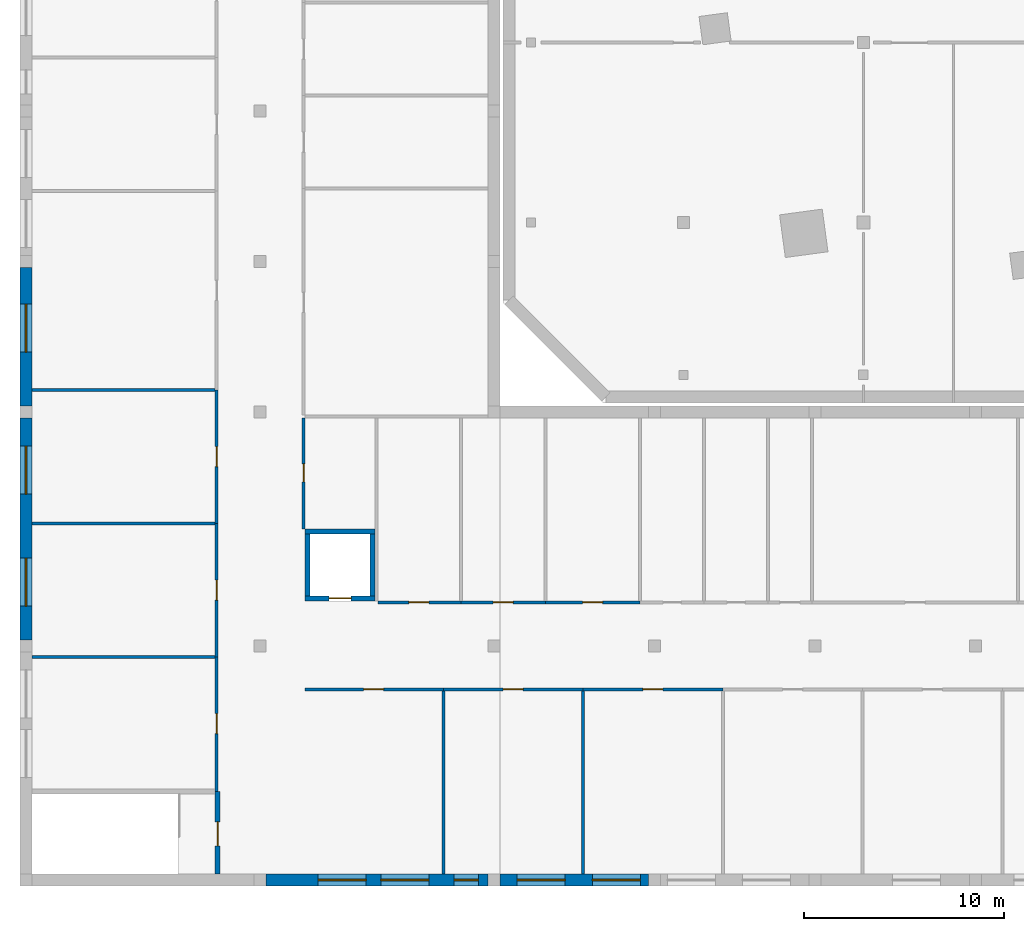
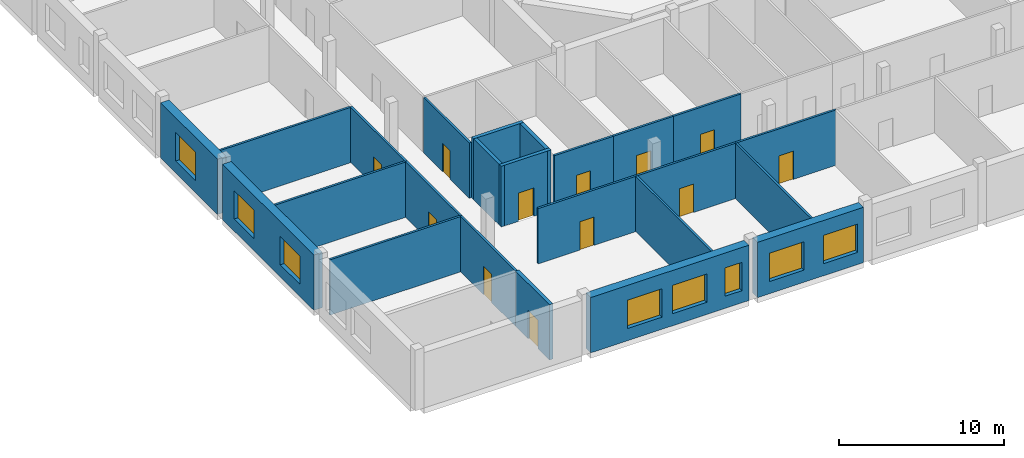
# One storey, part 3 of 18: 24 walls, 12 doors, 8 windows, 20 openings.
"""IFC4 building model written with IfcOpenShell, lengths in metres."""

from ifc_helpers import new_model, si_unit, direction, frame, frame_2d, origin, place, context, subcontext, project, spatial, rectangle, extrude, material, layer, layer_set, type_object, element, fill, save


model = new_model("IFC4")

# Units and contexts
model_context = context("Model", 3, precision=1e-05, world=origin(), true_north=direction((0.0, 1.0)))
body_context = subcontext(model_context, "Body", "Model", "MODEL_VIEW")
ifc_project = project(units=[si_unit("LENGTHUNIT", "METRE"), si_unit("AREAUNIT", "SQUARE_METRE"), si_unit("VOLUMEUNIT", "CUBIC_METRE"), si_unit("PLANEANGLEUNIT", "RADIAN"), si_unit("MASSUNIT", "GRAM", prefix="KILO")], contexts=[model_context])

# Site, building, storey
site_placement = place(None, origin())
site = spatial("IfcSite", under=ifc_project, at=site_placement, CompositionType="ELEMENT")
building_placement = place(site_placement, origin())
building = spatial("IfcBuilding", under=site, at=building_placement, Name="Dilmun Exchange Tower", CompositionType="ELEMENT")
storey_placement = place(building_placement, frame((0.0, 0.0, 13.5)))
storey = spatial("IfcBuildingStorey", under=building, at=storey_placement, Name="L03", CompositionType="ELEMENT", Elevation=13.5)

# Wall, openings, windows
ifc_material_1 = material(Name="Precast concrete C40/50", Category="concrete")
ifc_layer_1 = layer(ifc_material_1, 0.60009765625)
ifc_layer_set_1 = layer_set([ifc_layer_1], Name="Precast concrete C40/50")
wall_type_1 = type_object("IfcWallType", Name="School external wall 600 precast C40/50", PredefinedType="STANDARD", material=ifc_layer_set_1)
wall_1_placement = place(storey_placement, frame((-59.85009765625, -47.85009765625, 0.0), z_axis=(0.0, 0.0, 1.0), x_axis=(0.0, 1.0, 0.0)))
wall_1 = element("IfcWall", 1, at=wall_1_placement, inside=storey, type_object=wall_type_1, Name="School external wall", PredefinedType="STANDARD", context=body_context, shape_type="SweptSolid", body=[
    extrude(rectangle(XDim=11.10009765625, YDim=0.60009765625, at=frame_2d((5.550048828125, 0.0))), origin(), (0.0, 0.0, 1.0), 4.10009765625),
])
opening_1_placement = place(wall_1_placement, frame((1.68798828125, 0.0, 0.89990234375)))
opening_1 = element("IfcOpeningElement", 2, at=opening_1_placement, cuts=wall_1, Name="Opening SCH-W24", PredefinedType="OPENING", context=body_context, shape_type="SweptSolid", body=[
    extrude(rectangle(XDim=2.39990234375, YDim=2.10009765625, at=frame_2d((1.199951171875, 1.050048828125))), frame((0.0, 0.31005859375, 0.0), z_axis=(0.0, -1.0, 0.0), x_axis=(1.0, 0.0, 0.0)), (0.0, 0.0, 1.0), 0.6201171875),
])
opening_2_placement = place(wall_1_placement, frame((7.283203125, 0.0, 0.89990234375)))
opening_2 = element("IfcOpeningElement", 3, at=opening_2_placement, cuts=wall_1, Name="Opening SCH-W24", PredefinedType="OPENING", context=body_context, shape_type="SweptSolid", body=[
    extrude(rectangle(XDim=2.39990234375, YDim=2.10009765625, at=frame_2d((1.199951171875, 1.050048828125))), frame((0.0, 0.31005859375, 0.0), z_axis=(0.0, -1.0, 0.0), x_axis=(1.0, 0.0, 0.0)), (0.0, 0.0, 1.0), 0.6201171875),
])
ifc_material_2 = material(Name="Clear low-emissivity glass in aluminium frame", Category="aluminium")
window_type_1 = type_object("IfcWindowType", Name="School window 2400 x 2100", PartitioningType="DOUBLE_PANEL_VERTICAL", PredefinedType="WINDOW", material=ifc_material_2)
window_1_placement = place(opening_1_placement, origin())
window_1 = element("IfcWindow", 4, at=window_1_placement, inside=storey, type_object=window_type_1, Name="School window", OverallHeight=2.10009765625, OverallWidth=2.39990234375, PartitioningType="SINGLE_PANEL", PredefinedType="WINDOW", context=body_context, shape_type="SweptSolid", body=[
    extrude(rectangle(XDim=2.39990234375, YDim=2.10009765625, at=frame_2d((1.199951171875, 1.050048828125))), frame((0.0, 0.030029296875, 0.0), z_axis=(0.0, -1.0, 0.0), x_axis=(1.0, 0.0, 0.0)), (0.0, 0.0, 1.0), 0.06005859375),
])
fill(opening_1, window_1)
window_2_placement = place(opening_2_placement, origin())
window_2 = element("IfcWindow", 5, at=window_2_placement, inside=storey, type_object=window_type_1, Name="School window", OverallHeight=2.10009765625, OverallWidth=2.39990234375, PartitioningType="SINGLE_PANEL", PredefinedType="WINDOW", context=body_context, shape_type="SweptSolid", body=[
    extrude(rectangle(XDim=2.39990234375, YDim=2.10009765625, at=frame_2d((1.199951171875, 1.050048828125))), frame((0.0, 0.030029296875, 0.0), z_axis=(0.0, -1.0, 0.0), x_axis=(1.0, 0.0, 0.0)), (0.0, 0.0, 1.0), 0.06005859375),
])
fill(opening_2, window_2)

# Wall, opening, window
wall_2_placement = place(storey_placement, frame((-59.85009765625, -36.14990234375, 0.0), z_axis=(0.0, 0.0, 1.0), x_axis=(0.0, 1.0, 0.0)))
wall_2 = element("IfcWall", 6, at=wall_2_placement, inside=storey, type_object=wall_type_1, Name="School external wall", PredefinedType="STANDARD", context=body_context, shape_type="SweptSolid", body=[
    extrude(rectangle(XDim=6.914306640625, YDim=0.60009765625, at=frame_2d((3.45703125, 0.0))), origin(), (0.0, 0.0, 1.0), 4.10009765625),
])
opening_3_placement = place(wall_2_placement, frame((2.6767578125, 0.0, 0.89990234375)))
opening_3 = element("IfcOpeningElement", 7, at=opening_3_placement, cuts=wall_2, Name="Opening SCH-W24", PredefinedType="OPENING", context=body_context, shape_type="SweptSolid", body=[
    extrude(rectangle(XDim=2.39990234375, YDim=2.10009765625, at=frame_2d((1.199951171875, 1.050048828125))), frame((0.0, 0.31005859375, 0.0), z_axis=(0.0, -1.0, 0.0), x_axis=(1.0, 0.0, 0.0)), (0.0, 0.0, 1.0), 0.6201171875),
])
window_3_placement = place(opening_3_placement, origin())
window_3 = element("IfcWindow", 8, at=window_3_placement, inside=storey, type_object=window_type_1, Name="School window", OverallHeight=2.10009765625, OverallWidth=2.39990234375, PartitioningType="SINGLE_PANEL", PredefinedType="WINDOW", context=body_context, shape_type="SweptSolid", body=[
    extrude(rectangle(XDim=2.39990234375, YDim=2.10009765625, at=frame_2d((1.199951171875, 1.050048828125))), frame((0.0, 0.030029296875, 0.0), z_axis=(0.0, -1.0, 0.0), x_axis=(1.0, 0.0, 0.0)), (0.0, 0.0, 1.0), 0.06005859375),
])
fill(opening_3, window_3)

# Wall, openings, windows
wall_3_placement = place(storey_placement, frame((-28.7333984375, -59.85009765625, 0.0), z_axis=(0.0, 0.0, 1.0), x_axis=(-1.0, 0.0, 0.0)))
wall_3 = element("IfcWall", 9, at=wall_3_placement, inside=storey, type_object=wall_type_1, Name="School external wall", PredefinedType="STANDARD", context=body_context, shape_type="SweptSolid", body=[
    extrude(rectangle(XDim=7.41650390625, YDim=0.60009765625, at=frame_2d((3.708251953125, 0.0))), origin(), (0.0, 0.0, 1.0), 4.10009765625),
])
opening_4_placement = place(wall_3_placement, frame((4.16796875, 0.0, 0.89990234375)))
opening_4 = element("IfcOpeningElement", 10, at=opening_4_placement, cuts=wall_3, Name="Opening SCH-W24", PredefinedType="OPENING", context=body_context, shape_type="SweptSolid", body=[
    extrude(rectangle(XDim=2.39990234375, YDim=2.10009765625, at=frame_2d((1.199951171875, 1.050048828125))), frame((0.0, 0.31005859375, 0.0), z_axis=(0.0, -1.0, 0.0), x_axis=(1.0, 0.0, 0.0)), (0.0, 0.0, 1.0), 0.6201171875),
])
opening_5_placement = place(wall_3_placement, frame((0.41455078125, 0.0, 0.89990234375)))
opening_5 = element("IfcOpeningElement", 11, at=opening_5_placement, cuts=wall_3, Name="Opening SCH-W24", PredefinedType="OPENING", context=body_context, shape_type="SweptSolid", body=[
    extrude(rectangle(XDim=2.39990234375, YDim=2.10009765625, at=frame_2d((1.199951171875, 1.050048828125))), frame((0.0, 0.31005859375, 0.0), z_axis=(0.0, -1.0, 0.0), x_axis=(1.0, 0.0, 0.0)), (0.0, 0.0, 1.0), 0.6201171875),
])
window_4_placement = place(opening_4_placement, origin())
window_4 = element("IfcWindow", 12, at=window_4_placement, inside=storey, type_object=window_type_1, Name="School window", OverallHeight=2.10009765625, OverallWidth=2.39990234375, PartitioningType="SINGLE_PANEL", PredefinedType="WINDOW", context=body_context, shape_type="SweptSolid", body=[
    extrude(rectangle(XDim=2.39990234375, YDim=2.10009765625, at=frame_2d((1.199951171875, 1.050048828125))), frame((0.0, 0.030029296875, 0.0), z_axis=(0.0, -1.0, 0.0), x_axis=(1.0, 0.0, 0.0)), (0.0, 0.0, 1.0), 0.06005859375),
])
fill(opening_4, window_4)
window_5_placement = place(opening_5_placement, origin())
window_5 = element("IfcWindow", 13, at=window_5_placement, inside=storey, type_object=window_type_1, Name="School window", OverallHeight=2.10009765625, OverallWidth=2.39990234375, PartitioningType="SINGLE_PANEL", PredefinedType="WINDOW", context=body_context, shape_type="SweptSolid", body=[
    extrude(rectangle(XDim=2.39990234375, YDim=2.10009765625, at=frame_2d((1.199951171875, 1.050048828125))), frame((0.0, 0.030029296875, 0.0), z_axis=(0.0, -1.0, 0.0), x_axis=(1.0, 0.0, 0.0)), (0.0, 0.0, 1.0), 0.06005859375),
])
fill(opening_5, window_5)

wall_4_placement = place(storey_placement, frame((-36.75, -59.85009765625, 0.0), z_axis=(0.0, 0.0, 1.0), x_axis=(-1.0, 0.0, 0.0)))
wall_4 = element("IfcWall", 14, at=wall_4_placement, inside=storey, type_object=wall_type_1, Name="School external wall", PredefinedType="STANDARD", context=body_context, shape_type="SweptSolid", body=[
    extrude(rectangle(XDim=11.10009765625, YDim=0.60009765625, at=frame_2d((5.550048828125, 0.0))), origin(), (0.0, 0.0, 1.0), 4.10009765625),
])
opening_6_placement = place(wall_4_placement, frame((2.959716796875, 0.0, 0.89990234375)))
opening_6 = element("IfcOpeningElement", 15, at=opening_6_placement, cuts=wall_4, Name="Opening SCH-W24", PredefinedType="OPENING", context=body_context, shape_type="SweptSolid", body=[
    extrude(rectangle(XDim=2.39990234375, YDim=2.10009765625, at=frame_2d((1.199951171875, 1.050048828125))), frame((0.0, 0.31005859375, 0.0), z_axis=(0.0, -1.0, 0.0), x_axis=(1.0, 0.0, 0.0)), (0.0, 0.0, 1.0), 0.6201171875),
])
opening_7_placement = place(wall_4_placement, frame((6.1064453125, 0.0, 0.89990234375)))
opening_7 = element("IfcOpeningElement", 16, at=opening_7_placement, cuts=wall_4, Name="Opening SCH-W24", PredefinedType="OPENING", context=body_context, shape_type="SweptSolid", body=[
    extrude(rectangle(XDim=2.39990234375, YDim=2.10009765625, at=frame_2d((1.199951171875, 1.050048828125))), frame((0.0, 0.31005859375, 0.0), z_axis=(0.0, -1.0, 0.0), x_axis=(1.0, 0.0, 0.0)), (0.0, 0.0, 1.0), 0.6201171875),
])
opening_8_placement = place(wall_4_placement, frame((0.498046875, 0.0, 0.89990234375)))
opening_8 = element("IfcOpeningElement", 17, at=opening_8_placement, cuts=wall_4, Name="Opening SCH-W12", PredefinedType="OPENING", context=body_context, shape_type="SweptSolid", body=[
    extrude(rectangle(XDim=1.199951171875, YDim=2.10009765625, at=frame_2d((0.60009765625, 1.050048828125))), frame((0.0, 0.31005859375, 0.0), z_axis=(0.0, -1.0, 0.0), x_axis=(1.0, 0.0, 0.0)), (0.0, 0.0, 1.0), 0.6201171875),
])
window_type_2 = type_object("IfcWindowType", Name="School window 1200 x 2100", PartitioningType="DOUBLE_PANEL_VERTICAL", PredefinedType="WINDOW", material=ifc_material_2)
window_6_placement = place(opening_8_placement, origin())
window_6 = element("IfcWindow", 18, at=window_6_placement, inside=storey, type_object=window_type_2, Name="School window", OverallHeight=2.10009765625, OverallWidth=1.199951171875, PartitioningType="SINGLE_PANEL", PredefinedType="WINDOW", context=body_context, shape_type="SweptSolid", body=[
    extrude(rectangle(XDim=1.199951171875, YDim=2.10009765625, at=frame_2d((0.60009765625, 1.050048828125))), frame((0.0, 0.030029296875, 0.0), z_axis=(0.0, -1.0, 0.0), x_axis=(1.0, 0.0, 0.0)), (0.0, 0.0, 1.0), 0.06005859375),
])
fill(opening_8, window_6)
window_7_placement = place(opening_6_placement, origin())
window_7 = element("IfcWindow", 19, at=window_7_placement, inside=storey, type_object=window_type_1, Name="School window", OverallHeight=2.10009765625, OverallWidth=2.39990234375, PartitioningType="SINGLE_PANEL", PredefinedType="WINDOW", context=body_context, shape_type="SweptSolid", body=[
    extrude(rectangle(XDim=2.39990234375, YDim=2.10009765625, at=frame_2d((1.199951171875, 1.050048828125))), frame((0.0, 0.030029296875, 0.0), z_axis=(0.0, -1.0, 0.0), x_axis=(1.0, 0.0, 0.0)), (0.0, 0.0, 1.0), 0.06005859375),
])
fill(opening_6, window_7)
window_8_placement = place(opening_7_placement, origin())
window_8 = element("IfcWindow", 20, at=window_8_placement, inside=storey, type_object=window_type_1, Name="School window", OverallHeight=2.10009765625, OverallWidth=2.39990234375, PartitioningType="SINGLE_PANEL", PredefinedType="WINDOW", context=body_context, shape_type="SweptSolid", body=[
    extrude(rectangle(XDim=2.39990234375, YDim=2.10009765625, at=frame_2d((1.199951171875, 1.050048828125))), frame((0.0, 0.030029296875, 0.0), z_axis=(0.0, -1.0, 0.0), x_axis=(1.0, 0.0, 0.0)), (0.0, 0.0, 1.0), 0.06005859375),
])
fill(opening_7, window_8)

# Walls
ifc_material_3 = material(Name="Gypsum board on steel studs", Category="steel")
ifc_layer_2 = layer(ifc_material_3, 0.14990234375)
ifc_layer_set_2 = layer_set([ifc_layer_2], Name="Gypsum board on steel studs")
wall_type_2 = type_object("IfcWallType", Name="School partition 150 gypsum board", PredefinedType="PARTITIONING", material=ifc_layer_set_2)
for number, where, z_axis, x_axis, name in (
    (21, (-59.550048828125, -48.701904296875, 0.0), (0.0, 0.0, 1.0), (1.0, 0.0, 0.0), "School partition"),
    (22, (-59.550048828125, -42.02880859375, 0.0), (0.0, 0.0, 1.0), (1.0, 0.0, 0.0), "School partition"),
    (23, (-59.550048828125, -35.355712890625, 0.0), (0.0, 0.0, 1.0), (1.0, 0.0, 0.0), "School partition"),
):
    element("IfcWall", number, at=place(storey_placement, frame(where, z_axis=z_axis, x_axis=x_axis)), inside=storey, type_object=wall_type_2, Name=name, PredefinedType="PARTITIONING", context=body_context, shape_type="SweptSolid", body=[
        extrude(rectangle(XDim=9.150146484375, YDim=0.14990234375, at=frame_2d((4.5751953125, 0.0))), origin(), (0.0, 0.0, 1.0), 4.10009765625),
    ])

# Wall, opening, door
wall_5_placement = place(storey_placement, frame((-50.324951171875, -55.425048828125, 0.0), z_axis=(0.0, 0.0, 1.0), x_axis=(0.0, 1.0, 0.0)))
wall_5 = element("IfcWall", 24, at=wall_5_placement, inside=storey, type_object=wall_type_2, Name="School corridor wall", PredefinedType="PARTITIONING", context=body_context, shape_type="SweptSolid", body=[
    extrude(rectangle(XDim=6.72314453125, YDim=0.14990234375, at=frame_2d((3.361572265625, 0.0))), origin(), (0.0, 0.0, 1.0), 4.10009765625),
])
opening_9_placement = place(wall_5_placement, frame((2.886474609375, 0.0, 0.0)))
opening_9 = element("IfcOpeningElement", 25, at=opening_9_placement, cuts=wall_5, Name="Opening SCH-D1", PredefinedType="OPENING", context=body_context, shape_type="SweptSolid", body=[
    extrude(rectangle(XDim=1.0, YDim=2.10009765625, at=frame_2d((0.5, 1.050048828125))), frame((0.0, 0.0849609375, 0.0), z_axis=(0.0, -1.0, 0.0), x_axis=(1.0, 0.0, 0.0)), (0.0, 0.0, 1.0), 0.169921875),
])
ifc_material_4 = material(Name="Timber door leaf in steel frame", Category="steel")
door_type_1 = type_object("IfcDoorType", Name="School door FD30S 1000 x 2100", OperationType="NOTDEFINED", PredefinedType="DOOR", material=ifc_material_4)
door_1_placement = place(opening_9_placement, origin())
door_1 = element("IfcDoor", 26, at=door_1_placement, inside=storey, type_object=door_type_1, Name="Classroom door", OperationType="SINGLE_SWING_RIGHT", OverallHeight=2.10009765625, OverallWidth=1.0, PredefinedType="DOOR", context=body_context, shape_type="SweptSolid", body=[
    extrude(rectangle(XDim=1.0, YDim=2.10009765625, at=frame_2d((0.5, 1.050048828125))), frame((0.0, 0.02490234375, 0.0), z_axis=(0.0, -1.0, 0.0), x_axis=(1.0, 0.0, 0.0)), (0.0, 0.0, 1.0), 0.050048828125),
])
fill(opening_9, door_1)

wall_6_placement = place(storey_placement, frame((-50.324951171875, -48.701904296875, 0.0), z_axis=(0.0, 0.0, 1.0), x_axis=(0.0, 1.0, 0.0)))
wall_6 = element("IfcWall", 27, at=wall_6_placement, inside=storey, type_object=wall_type_2, Name="School corridor wall", PredefinedType="PARTITIONING", context=body_context, shape_type="SweptSolid", body=[
    extrude(rectangle(XDim=6.673095703125, YDim=0.14990234375, at=frame_2d((3.33642578125, 0.0))), origin(), (0.0, 0.0, 1.0), 4.10009765625),
])
opening_10_placement = place(wall_6_placement, frame((2.836669921875, 0.0, 0.0)))
opening_10 = element("IfcOpeningElement", 28, at=opening_10_placement, cuts=wall_6, Name="Opening SCH-D1", PredefinedType="OPENING", context=body_context, shape_type="SweptSolid", body=[
    extrude(rectangle(XDim=1.0, YDim=2.10009765625, at=frame_2d((0.5, 1.050048828125))), frame((0.0, 0.0849609375, 0.0), z_axis=(0.0, -1.0, 0.0), x_axis=(1.0, 0.0, 0.0)), (0.0, 0.0, 1.0), 0.169921875),
])
door_2_placement = place(opening_10_placement, origin())
door_2 = element("IfcDoor", 29, at=door_2_placement, inside=storey, type_object=door_type_1, Name="Classroom door", OperationType="SINGLE_SWING_LEFT", OverallHeight=2.10009765625, OverallWidth=1.0, PredefinedType="DOOR", context=body_context, shape_type="SweptSolid", body=[
    extrude(rectangle(XDim=1.0, YDim=2.10009765625, at=frame_2d((0.5, 1.050048828125))), frame((0.0, 0.02490234375, 0.0), z_axis=(0.0, -1.0, 0.0), x_axis=(1.0, 0.0, 0.0)), (0.0, 0.0, 1.0), 0.050048828125),
])
fill(opening_10, door_2)

wall_7_placement = place(storey_placement, frame((-50.324951171875, -42.02880859375, 0.0), z_axis=(0.0, 0.0, 1.0), x_axis=(0.0, 1.0, 0.0)))
wall_7 = element("IfcWall", 30, at=wall_7_placement, inside=storey, type_object=wall_type_2, Name="School corridor wall", PredefinedType="PARTITIONING", context=body_context, shape_type="SweptSolid", body=[
    extrude(rectangle(XDim=6.673095703125, YDim=0.14990234375, at=frame_2d((3.33642578125, 0.0))), origin(), (0.0, 0.0, 1.0), 4.10009765625),
])
opening_11_placement = place(wall_7_placement, frame((2.83642578125, 0.0, 0.0)))
opening_11 = element("IfcOpeningElement", 31, at=opening_11_placement, cuts=wall_7, Name="Opening SCH-D1", PredefinedType="OPENING", context=body_context, shape_type="SweptSolid", body=[
    extrude(rectangle(XDim=1.0, YDim=2.10009765625, at=frame_2d((0.5, 1.050048828125))), frame((0.0, 0.0849609375, 0.0), z_axis=(0.0, -1.0, 0.0), x_axis=(1.0, 0.0, 0.0)), (0.0, 0.0, 1.0), 0.169921875),
])
door_3_placement = place(opening_11_placement, origin())
door_3 = element("IfcDoor", 32, at=door_3_placement, inside=storey, type_object=door_type_1, Name="History classroom door", OperationType="SINGLE_SWING_RIGHT", OverallHeight=2.10009765625, OverallWidth=1.0, PredefinedType="DOOR", context=body_context, shape_type="SweptSolid", body=[
    extrude(rectangle(XDim=1.0, YDim=2.10009765625, at=frame_2d((0.5, 1.050048828125))), frame((0.0, 0.02490234375, 0.0), z_axis=(0.0, -1.0, 0.0), x_axis=(1.0, 0.0, 0.0)), (0.0, 0.0, 1.0), 0.050048828125),
])
fill(opening_11, door_3)

# Walls
for number, where, z_axis, x_axis, name in (
    (33, (-38.9912109375, -59.550048828125, 0.0), (0.0, 0.0, 1.0), (0.0, 1.0, 0.0), "School partition"),
    (34, (-32.00732421875, -59.550048828125, 0.0), (0.0, 0.0, 1.0), (0.0, 1.0, 0.0), "School partition"),
):
    element("IfcWall", number, at=place(storey_placement, frame(where, z_axis=z_axis, x_axis=x_axis)), inside=storey, type_object=wall_type_2, Name=name, PredefinedType="PARTITIONING", context=body_context, shape_type="SweptSolid", body=[
        extrude(rectangle(XDim=9.150146484375, YDim=0.14990234375, at=frame_2d((4.5751953125, 0.0))), origin(), (0.0, 0.0, 1.0), 4.10009765625),
    ])

# Wall, opening, door
wall_8_placement = place(storey_placement, frame((-45.89990234375, -50.324951171875, 0.0), z_axis=(0.0, 0.0, 1.0), x_axis=(1.0, 0.0, 0.0)))
wall_8 = element("IfcWall", 35, at=wall_8_placement, inside=storey, type_object=wall_type_2, Name="School corridor wall", PredefinedType="PARTITIONING", context=body_context, shape_type="SweptSolid", body=[
    extrude(rectangle(XDim=6.90869140625, YDim=0.14990234375, at=frame_2d((3.454345703125, 0.0))), origin(), (0.0, 0.0, 1.0), 4.10009765625),
])
opening_12_placement = place(wall_8_placement, frame((2.9169921875, 0.0, 0.0)))
opening_12 = element("IfcOpeningElement", 36, at=opening_12_placement, cuts=wall_8, Name="Opening SCH-D1", PredefinedType="OPENING", context=body_context, shape_type="SweptSolid", body=[
    extrude(rectangle(XDim=1.0, YDim=2.10009765625, at=frame_2d((0.5, 1.050048828125))), frame((0.0, 0.0849609375, 0.0), z_axis=(0.0, -1.0, 0.0), x_axis=(1.0, 0.0, 0.0)), (0.0, 0.0, 1.0), 0.169921875),
])
door_4_placement = place(opening_12_placement, origin())
door_4 = element("IfcDoor", 37, at=door_4_placement, inside=storey, type_object=door_type_1, Name="Classroom door", OperationType="SINGLE_SWING_RIGHT", OverallHeight=2.10009765625, OverallWidth=1.0, PredefinedType="DOOR", context=body_context, shape_type="SweptSolid", body=[
    extrude(rectangle(XDim=1.0, YDim=2.10009765625, at=frame_2d((0.5, 1.050048828125))), frame((0.0, 0.02490234375, 0.0), z_axis=(0.0, -1.0, 0.0), x_axis=(1.0, 0.0, 0.0)), (0.0, 0.0, 1.0), 0.050048828125),
])
fill(opening_12, door_4)

wall_9_placement = place(storey_placement, frame((-38.9912109375, -50.324951171875, 0.0), z_axis=(0.0, 0.0, 1.0), x_axis=(1.0, 0.0, 0.0)))
wall_9 = element("IfcWall", 38, at=wall_9_placement, inside=storey, type_object=wall_type_2, Name="School corridor wall", PredefinedType="PARTITIONING", context=body_context, shape_type="SweptSolid", body=[
    extrude(rectangle(XDim=6.98388671875, YDim=0.14990234375, at=frame_2d((3.491943359375, 0.0))), origin(), (0.0, 0.0, 1.0), 4.10009765625),
])
opening_13_placement = place(wall_9_placement, frame((2.991943359375, 0.0, 0.0)))
opening_13 = element("IfcOpeningElement", 39, at=opening_13_placement, cuts=wall_9, Name="Opening SCH-D1", PredefinedType="OPENING", context=body_context, shape_type="SweptSolid", body=[
    extrude(rectangle(XDim=1.0, YDim=2.10009765625, at=frame_2d((0.5, 1.050048828125))), frame((0.0, 0.0849609375, 0.0), z_axis=(0.0, -1.0, 0.0), x_axis=(1.0, 0.0, 0.0)), (0.0, 0.0, 1.0), 0.169921875),
])
door_5_placement = place(opening_13_placement, origin())
door_5 = element("IfcDoor", 40, at=door_5_placement, inside=storey, type_object=door_type_1, Name="Classroom door", OperationType="SINGLE_SWING_LEFT", OverallHeight=2.10009765625, OverallWidth=1.0, PredefinedType="DOOR", context=body_context, shape_type="SweptSolid", body=[
    extrude(rectangle(XDim=1.0, YDim=2.10009765625, at=frame_2d((0.5, 1.050048828125))), frame((0.0, 0.02490234375, 0.0), z_axis=(0.0, -1.0, 0.0), x_axis=(1.0, 0.0, 0.0)), (0.0, 0.0, 1.0), 0.050048828125),
])
fill(opening_13, door_5)

wall_10_placement = place(storey_placement, frame((-32.00732421875, -50.324951171875, 0.0), z_axis=(0.0, 0.0, 1.0), x_axis=(1.0, 0.0, 0.0)))
wall_10 = element("IfcWall", 41, at=wall_10_placement, inside=storey, type_object=wall_type_2, Name="School corridor wall", PredefinedType="PARTITIONING", context=body_context, shape_type="SweptSolid", body=[
    extrude(rectangle(XDim=6.98388671875, YDim=0.14990234375, at=frame_2d((3.491943359375, 0.0))), origin(), (0.0, 0.0, 1.0), 4.10009765625),
])
opening_14_placement = place(wall_10_placement, frame((2.991943359375, 0.0, 0.0)))
opening_14 = element("IfcOpeningElement", 42, at=opening_14_placement, cuts=wall_10, Name="Opening SCH-D1", PredefinedType="OPENING", context=body_context, shape_type="SweptSolid", body=[
    extrude(rectangle(XDim=1.0, YDim=2.10009765625, at=frame_2d((0.5, 1.050048828125))), frame((0.0, 0.0849609375, 0.0), z_axis=(0.0, -1.0, 0.0), x_axis=(1.0, 0.0, 0.0)), (0.0, 0.0, 1.0), 0.169921875),
])
door_6_placement = place(opening_14_placement, origin())
door_6 = element("IfcDoor", 43, at=door_6_placement, inside=storey, type_object=door_type_1, Name="Classroom door", OperationType="SINGLE_SWING_RIGHT", OverallHeight=2.10009765625, OverallWidth=1.0, PredefinedType="DOOR", context=body_context, shape_type="SweptSolid", body=[
    extrude(rectangle(XDim=1.0, YDim=2.10009765625, at=frame_2d((0.5, 1.050048828125))), frame((0.0, 0.02490234375, 0.0), z_axis=(0.0, -1.0, 0.0), x_axis=(1.0, 0.0, 0.0)), (0.0, 0.0, 1.0), 0.050048828125),
])
fill(opening_14, door_6)

wall_11_placement = place(storey_placement, frame((-42.25, -45.97509765625, 0.0), z_axis=(0.0, 0.0, 1.0), x_axis=(1.0, 0.0, 0.0)))
wall_11 = element("IfcWall", 44, at=wall_11_placement, inside=storey, type_object=wall_type_2, Name="School corridor wall", PredefinedType="PARTITIONING", context=body_context, shape_type="SweptSolid", body=[
    extrude(rectangle(XDim=4.142333984375, YDim=0.14990234375, at=frame_2d((2.0712890625, 0.0))), origin(), (0.0, 0.0, 1.0), 4.10009765625),
])
opening_15_placement = place(wall_11_placement, frame((1.53369140625, 0.0, 0.0)))
opening_15 = element("IfcOpeningElement", 45, at=opening_15_placement, cuts=wall_11, Name="Opening SCH-D1", PredefinedType="OPENING", context=body_context, shape_type="SweptSolid", body=[
    extrude(rectangle(XDim=1.0, YDim=2.10009765625, at=frame_2d((0.5, 1.050048828125))), frame((0.0, 0.0849609375, 0.0), z_axis=(0.0, -1.0, 0.0), x_axis=(1.0, 0.0, 0.0)), (0.0, 0.0, 1.0), 0.169921875),
])
door_7_placement = place(opening_15_placement, origin())
door_7 = element("IfcDoor", 46, at=door_7_placement, inside=storey, type_object=door_type_1, Name="Music practice room door", OperationType="SINGLE_SWING_RIGHT", OverallHeight=2.10009765625, OverallWidth=1.0, PredefinedType="DOOR", context=body_context, shape_type="SweptSolid", body=[
    extrude(rectangle(XDim=1.0, YDim=2.10009765625, at=frame_2d((0.5, 1.050048828125))), frame((0.0, 0.02490234375, 0.0), z_axis=(0.0, -1.0, 0.0), x_axis=(1.0, 0.0, 0.0)), (0.0, 0.0, 1.0), 0.050048828125),
])
fill(opening_15, door_7)

wall_12_placement = place(storey_placement, frame((-38.107666015625, -45.97509765625, 0.0), z_axis=(0.0, 0.0, 1.0), x_axis=(1.0, 0.0, 0.0)))
wall_12 = element("IfcWall", 47, at=wall_12_placement, inside=storey, type_object=wall_type_2, Name="School corridor wall", PredefinedType="PARTITIONING", context=body_context, shape_type="SweptSolid", body=[
    extrude(rectangle(XDim=4.217529296875, YDim=0.14990234375, at=frame_2d((2.10888671875, 0.0))), origin(), (0.0, 0.0, 1.0), 4.10009765625),
])
opening_16_placement = place(wall_12_placement, frame((1.608642578125, 0.0, 0.0)))
opening_16 = element("IfcOpeningElement", 48, at=opening_16_placement, cuts=wall_12, Name="Opening SCH-D1", PredefinedType="OPENING", context=body_context, shape_type="SweptSolid", body=[
    extrude(rectangle(XDim=1.0, YDim=2.10009765625, at=frame_2d((0.5, 1.050048828125))), frame((0.0, 0.0849609375, 0.0), z_axis=(0.0, -1.0, 0.0), x_axis=(1.0, 0.0, 0.0)), (0.0, 0.0, 1.0), 0.169921875),
])
door_8_placement = place(opening_16_placement, origin())
door_8 = element("IfcDoor", 49, at=door_8_placement, inside=storey, type_object=door_type_1, Name="Music practice room door", OperationType="SINGLE_SWING_LEFT", OverallHeight=2.10009765625, OverallWidth=1.0, PredefinedType="DOOR", context=body_context, shape_type="SweptSolid", body=[
    extrude(rectangle(XDim=1.0, YDim=2.10009765625, at=frame_2d((0.5, 1.050048828125))), frame((0.0, 0.02490234375, 0.0), z_axis=(0.0, -1.0, 0.0), x_axis=(1.0, 0.0, 0.0)), (0.0, 0.0, 1.0), 0.050048828125),
])
fill(opening_16, door_8)

wall_13_placement = place(storey_placement, frame((-33.89013671875, -45.97509765625, 0.0), z_axis=(0.0, 0.0, 1.0), x_axis=(1.0, 0.0, 0.0)))
wall_13 = element("IfcWall", 50, at=wall_13_placement, inside=storey, type_object=wall_type_2, Name="School corridor wall", PredefinedType="PARTITIONING", context=body_context, shape_type="SweptSolid", body=[
    extrude(rectangle(XDim=4.725830078125, YDim=0.14990234375, at=frame_2d((2.36279296875, 0.0))), origin(), (0.0, 0.0, 1.0), 4.10009765625),
])
opening_17_placement = place(wall_13_placement, frame((1.86279296875, 0.0, 0.0)))
opening_17 = element("IfcOpeningElement", 51, at=opening_17_placement, cuts=wall_13, Name="Opening SCH-D1", PredefinedType="OPENING", context=body_context, shape_type="SweptSolid", body=[
    extrude(rectangle(XDim=1.0, YDim=2.10009765625, at=frame_2d((0.5, 1.050048828125))), frame((0.0, 0.0849609375, 0.0), z_axis=(0.0, -1.0, 0.0), x_axis=(1.0, 0.0, 0.0)), (0.0, 0.0, 1.0), 0.169921875),
])
door_9_placement = place(opening_17_placement, origin())
door_9 = element("IfcDoor", 52, at=door_9_placement, inside=storey, type_object=door_type_1, Name="Recording room door", OperationType="SINGLE_SWING_RIGHT", OverallHeight=2.10009765625, OverallWidth=1.0, PredefinedType="DOOR", context=body_context, shape_type="SweptSolid", body=[
    extrude(rectangle(XDim=1.0, YDim=2.10009765625, at=frame_2d((0.5, 1.050048828125))), frame((0.0, 0.02490234375, 0.0), z_axis=(0.0, -1.0, 0.0), x_axis=(1.0, 0.0, 0.0)), (0.0, 0.0, 1.0), 0.050048828125),
])
fill(opening_17, door_9)

wall_14_placement = place(storey_placement, frame((-45.97509765625, -42.300048828125, 0.0), z_axis=(0.0, 0.0, 1.0), x_axis=(0.0, 1.0, 0.0)))
wall_14 = element("IfcWall", 53, at=wall_14_placement, inside=storey, type_object=wall_type_2, Name="School corridor wall", PredefinedType="PARTITIONING", context=body_context, shape_type="SweptSolid", body=[
    extrude(rectangle(XDim=5.550048828125, YDim=0.14990234375, at=frame_2d((2.77490234375, 0.0))), origin(), (0.0, 0.0, 1.0), 4.10009765625),
])
opening_18_placement = place(wall_14_placement, frame((2.35009765625, 0.0, 0.0)))
opening_18 = element("IfcOpeningElement", 54, at=opening_18_placement, cuts=wall_14, Name="Opening SCH-D2", PredefinedType="OPENING", context=body_context, shape_type="SweptSolid", body=[
    extrude(rectangle(XDim=0.89990234375, YDim=2.10009765625, at=frame_2d((0.449951171875, 1.050048828125))), frame((0.0, 0.0849609375, 0.0), z_axis=(0.0, -1.0, 0.0), x_axis=(1.0, 0.0, 0.0)), (0.0, 0.0, 1.0), 0.169921875),
])
door_type_2 = type_object("IfcDoorType", Name="School door FD30S 900 x 2100", OperationType="NOTDEFINED", PredefinedType="DOOR", material=ifc_material_4)
door_10_placement = place(opening_18_placement, origin())
door_10 = element("IfcDoor", 55, at=door_10_placement, inside=storey, type_object=door_type_2, Name="Service cell door", OperationType="SINGLE_SWING_RIGHT", OverallHeight=2.10009765625, OverallWidth=0.89990234375, PredefinedType="DOOR", context=body_context, shape_type="SweptSolid", body=[
    extrude(rectangle(XDim=0.89990234375, YDim=2.10009765625, at=frame_2d((0.449951171875, 1.050048828125))), frame((0.0, 0.02490234375, 0.0), z_axis=(0.0, -1.0, 0.0), x_axis=(1.0, 0.0, 0.0)), (0.0, 0.0, 1.0), 0.050048828125),
])
fill(opening_18, door_10)

# Walls
ifc_material_5 = material(Name="Concrete C40/50", Category="concrete")
ifc_layer_3 = layer(ifc_material_5, 0.25)
ifc_layer_set_3 = layer_set([ifc_layer_3], Name="Concrete C40/50")
wall_type_3 = type_object("IfcWallType", Name="School stair and lift wall 250 C40/50", PredefinedType="SHEAR", material=ifc_layer_set_3)
for number, where, z_axis, x_axis, name in (
    (56, (-45.77490234375, -45.89990234375, 0.0), (0.0, 0.0, 1.0), (0.0, 1.0, 0.0), "School lift shaft wall"),
    (57, (-42.52490234375, -45.89990234375, 0.0), (0.0, 0.0, 1.0), (0.0, 1.0, 0.0), "School lift shaft wall"),
):
    element("IfcWall", number, at=place(storey_placement, frame(where, z_axis=z_axis, x_axis=x_axis)), inside=storey, type_object=wall_type_3, Name=name, PredefinedType="SHEAR", context=body_context, shape_type="SweptSolid", body=[
        extrude(rectangle(XDim=3.599853515625, YDim=0.25, at=frame_2d((1.7998046875, 0.0))), origin(), (0.0, 0.0, 1.0), 4.5),
    ])
wall_15_placement = place(storey_placement, frame((-45.89990234375, -42.425048828125, 0.0), z_axis=(0.0, 0.0, 1.0), x_axis=(1.0, 0.0, 0.0)))
element("IfcWall", 58, at=wall_15_placement, inside=storey, type_object=wall_type_3, Name="School lift shaft wall", PredefinedType="SHEAR", context=body_context, shape_type="SweptSolid", body=[
    extrude(rectangle(XDim=3.5, YDim=0.25, at=frame_2d((1.75, 0.0))), origin(), (0.0, 0.0, 1.0), 4.5),
])

# Wall, opening, door
wall_16_placement = place(storey_placement, frame((-45.89990234375, -45.77490234375, 0.0), z_axis=(0.0, 0.0, 1.0), x_axis=(1.0, 0.0, 0.0)))
wall_16 = element("IfcWall", 59, at=wall_16_placement, inside=storey, type_object=wall_type_3, Name="School lift shaft wall", PredefinedType="SHEAR", context=body_context, shape_type="SweptSolid", body=[
    extrude(rectangle(XDim=3.5, YDim=0.25, at=frame_2d((1.75, 0.0))), origin(), (0.0, 0.0, 1.0), 4.5),
])
opening_19_placement = place(wall_16_placement, frame((1.199951171875, 0.0, 0.0)))
opening_19 = element("IfcOpeningElement", 60, at=opening_19_placement, cuts=wall_16, Name="Opening SCH-LD", PredefinedType="OPENING", context=body_context, shape_type="SweptSolid", body=[
    extrude(rectangle(XDim=1.10009765625, YDim=2.10009765625, at=frame_2d((0.550048828125, 1.050048828125))), frame((0.0, 0.135009765625, 0.0), z_axis=(0.0, -1.0, 0.0), x_axis=(1.0, 0.0, 0.0)), (0.0, 0.0, 1.0), 0.27001953125),
])
door_type_3 = type_object("IfcDoorType", Name="School lift landing door 1100 x 2100", OperationType="DOUBLE_DOOR_SLIDING", PredefinedType="DOOR", material=ifc_material_4)
door_11_placement = place(opening_19_placement, origin())
door_11 = element("IfcDoor", 61, at=door_11_placement, inside=storey, type_object=door_type_3, Name="Lift landing door", OperationType="DOUBLE_DOOR_SLIDING", OverallHeight=2.10009765625, OverallWidth=1.10009765625, PredefinedType="DOOR", context=body_context, shape_type="SweptSolid", body=[
    extrude(rectangle(XDim=1.10009765625, YDim=2.10009765625, at=frame_2d((0.550048828125, 1.050048828125))), frame((0.0, 0.02490234375, 0.0), z_axis=(0.0, -1.0, 0.0), x_axis=(1.0, 0.0, 0.0)), (0.0, 0.0, 1.0), 0.050048828125),
])
fill(opening_19, door_11)

wall_17_placement = place(storey_placement, frame((-50.27490234375, -59.550048828125, 0.0), z_axis=(0.0, 0.0, 1.0), x_axis=(0.0, 1.0, 0.0)))
wall_17 = element("IfcWall", 62, at=wall_17_placement, inside=storey, type_object=wall_type_3, Name="School corridor wall", PredefinedType="SHEAR", context=body_context, shape_type="SweptSolid", body=[
    extrude(rectangle(XDim=4.125, YDim=0.25, at=frame_2d((2.0625, 0.0))), origin(), (0.0, 0.0, 1.0), 4.10009765625),
])
opening_20_placement = place(wall_17_placement, frame((1.39990234375, 0.0, 0.0)))
opening_20 = element("IfcOpeningElement", 63, at=opening_20_placement, cuts=wall_17, Name="Opening SCH-D3", PredefinedType="OPENING", context=body_context, shape_type="SweptSolid", body=[
    extrude(rectangle(XDim=1.199951171875, YDim=2.10009765625, at=frame_2d((0.60009765625, 1.050048828125))), frame((0.0, 0.135009765625, 0.0), z_axis=(0.0, -1.0, 0.0), x_axis=(1.0, 0.0, 0.0)), (0.0, 0.0, 1.0), 0.27001953125),
])
door_type_4 = type_object("IfcDoorType", Name="School stair door FD60 1200 x 2100", OperationType="NOTDEFINED", PredefinedType="DOOR", material=ifc_material_4)
door_12_placement = place(opening_20_placement, origin())
door_12 = element("IfcDoor", 64, at=door_12_placement, inside=storey, type_object=door_type_4, Name="Stair S2 door", OperationType="SINGLE_SWING_LEFT", OverallHeight=2.10009765625, OverallWidth=1.199951171875, PredefinedType="DOOR", context=body_context, shape_type="SweptSolid", body=[
    extrude(rectangle(XDim=1.199951171875, YDim=2.10009765625, at=frame_2d((0.60009765625, 1.050048828125))), frame((0.0, 0.02490234375, 0.0), z_axis=(0.0, -1.0, 0.0), x_axis=(1.0, 0.0, 0.0)), (0.0, 0.0, 1.0), 0.050048828125),
])
fill(opening_20, door_12)

save(model, "model.ifc")
